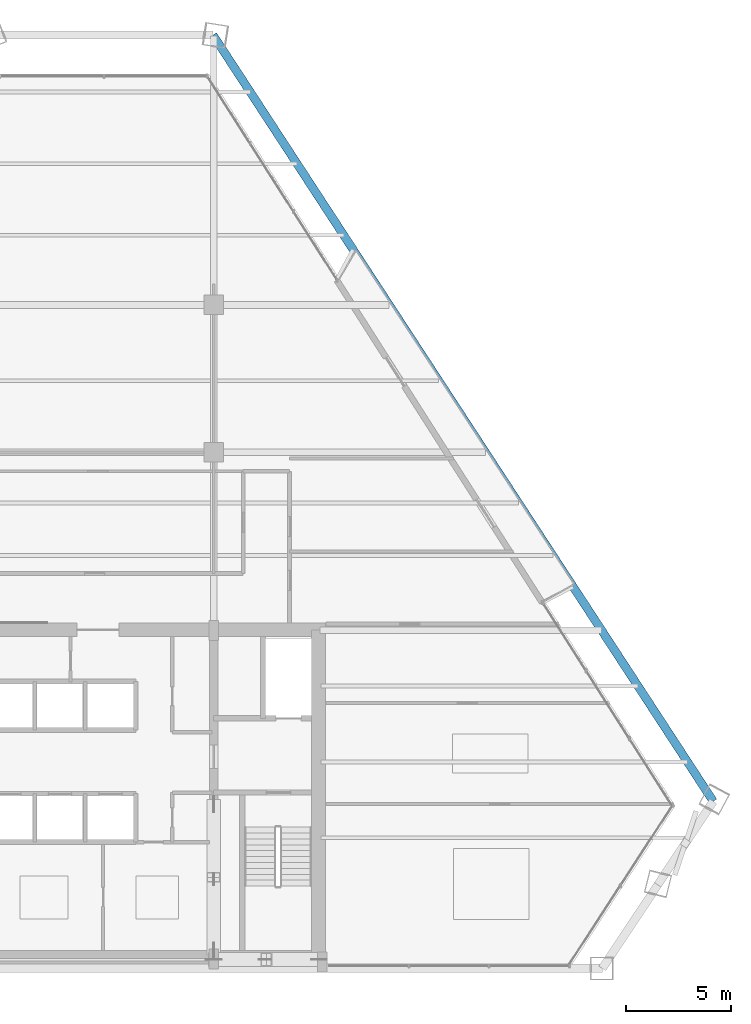
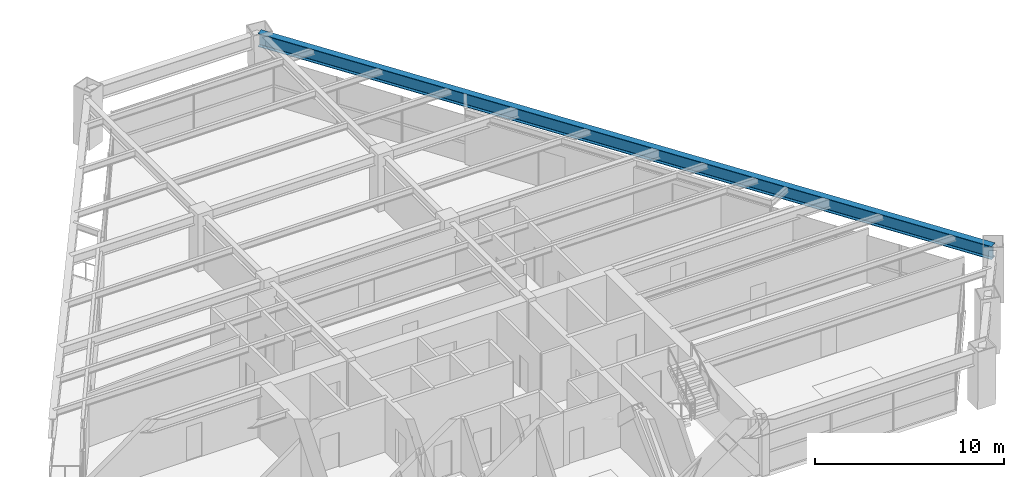
# One storey, part 7 of 15: 1 beam.
"""IFC4 building model written with IfcOpenShell, lengths in metres."""

import ifcopenshell
import ifcopenshell.guid

model = None  # the IFC model being written
_history = None  # IfcOwnerHistory: only IFC2X3 demands one
_inside = {}  # id of a spatial element -> (the spatial element, [elements in it])
_under = {}  # id of a project, library or spatial element -> (it, [spatial elements below it])
_declared = {}  # id of a project -> (the project, [libraries it declares])
_typed = {}  # id of a type object -> (the type object, [elements of that type])
_made_of = {}  # id of a material, layer set ... -> (it, [elements and type objects made of it])


def new_model(schema):
    """Start an empty IFC model of exactly this schema.

    Asked for "IFC4X3", IfcOpenShell would pick the latest addendum, in which some entities
    have other attributes; the version numbers below select the first issue.
    IFC2X3 requires an IfcOwnerHistory on every rooted entity: one is made here for all.
    """
    global model, _history
    if schema == "IFC4X3":
        model = ifcopenshell.file(schema_version=(4, 3, 0, 0))
    else:
        model = ifcopenshell.file(schema=schema)
    _inside.clear()
    _under.clear()
    _declared.clear()
    _typed.clear()
    _made_of.clear()
    _history = None
    if model.schema == "IFC2X3":
        org = make("IfcOrganization", Name="unknown")
        user = make(
            "IfcPersonAndOrganization",
            ThePerson=make("IfcPerson", FamilyName="unknown"),
            TheOrganization=org,
        )
        app = make(
            "IfcApplication",
            ApplicationDeveloper=org,
            Version="unknown",
            ApplicationFullName="unknown",
            ApplicationIdentifier="unknown",
        )
        _history = make(
            "IfcOwnerHistory",
            OwningUser=user,
            OwningApplication=app,
            ChangeAction="ADDED",
            CreationDate=0,
        )
    return model


def make(cls, **values):
    """One entity of the class cls with the attributes given. An attribute that is None is left unset."""
    return model.create_entity(
        cls, **{name: value for name, value in values.items() if value is not None}
    )


def rooted(cls, **values):
    """An entity with a GlobalId (a new one), such as an element, a storey or a relation."""
    return make(cls, GlobalId=ifcopenshell.guid.new(), OwnerHistory=_history, **values)


def si_unit(unit_type, name, prefix=None):
    """IfcSIUnit, for example si_unit("LENGTHUNIT", "METRE", prefix="MILLI")."""
    return make("IfcSIUnit", UnitType=unit_type, Prefix=prefix, Name=name)


def assignment(units):
    """IfcUnitAssignment: the units of a project."""
    return None if units is None else make("IfcUnitAssignment", Units=units)


def point(xyz):
    """IfcCartesianPoint."""
    return None if xyz is None else make("IfcCartesianPoint", Coordinates=xyz)


def direction(xyz):
    """IfcDirection."""
    return None if xyz is None else make("IfcDirection", DirectionRatios=xyz)


def frame(location, z_axis=None, x_axis=None):
    """IfcAxis2Placement3D, a coordinate frame: its origin and axes. An axis left out is left unset."""
    return make(
        "IfcAxis2Placement3D",
        Location=point(location),
        Axis=direction(z_axis),
        RefDirection=direction(x_axis),
    )


def frame_2d(location, x_axis=None):
    """IfcAxis2Placement2D, a coordinate frame in the plane: its origin and x axis."""
    return make(
        "IfcAxis2Placement2D", Location=point(location), RefDirection=direction(x_axis)
    )


def origin():
    """The frame at (0, 0, 0) with its axes left unset."""
    return frame((0.0, 0.0, 0.0))


def origin_2d():
    """The frame at (0, 0) in the plane with its x axis left unset."""
    return frame_2d((0.0, 0.0))


def place(relative_to, where):
    """IfcLocalPlacement: puts the frame where relative to a parent placement (None: the world)."""
    return make(
        "IfcLocalPlacement", PlacementRelTo=relative_to, RelativePlacement=where
    )


def context(
    kind, dimensions, precision=None, world=None, true_north=None, identifier=None
):
    """IfcGeometricRepresentationContext, for example the 3D "Model" context."""
    return make(
        "IfcGeometricRepresentationContext",
        ContextIdentifier=identifier,
        ContextType=kind,
        CoordinateSpaceDimension=dimensions,
        Precision=precision,
        WorldCoordinateSystem=world,
        TrueNorth=true_north,
    )


def subcontext(parent, identifier, kind, view, scale=None):
    """IfcGeometricRepresentationSubContext, for example "Body" below "Model"."""
    return make(
        "IfcGeometricRepresentationSubContext",
        ContextIdentifier=identifier,
        ContextType=kind,
        ParentContext=parent,
        TargetScale=scale,
        TargetView=view,
    )


def project(units=None, contexts=None):
    """IfcProject with its units and contexts."""
    return rooted(
        "IfcProject",
        Name="project",
        RepresentationContexts=contexts,
        UnitsInContext=assignment(units),
    )


def spatial(cls, under=None, at=None, **own):
    """A site, building, storey or space (cls), placed at a placement, below another one or the project."""
    s = rooted(cls, ObjectPlacement=at, **own)
    if under is not None:
        _under.setdefault(under.id(), (under, []))[1].append(s)
    return s


def profile(cls, at=None, kind="AREA", **sizes):
    """A parametric profile (cls). Its sizes go by their IFC names, for example OverallWidth=200.0."""
    return make(cls, ProfileType=kind, Position=at, **sizes)


def i_section(**sizes):
    """IfcIShapeProfileDef."""
    return profile("IfcIShapeProfileDef", **sizes)


def extrude(swept, where, along, depth):
    """IfcExtrudedAreaSolid: the profile swept, set in the frame where, extruded along a direction by depth."""
    return make(
        "IfcExtrudedAreaSolid",
        SweptArea=swept,
        Position=where,
        ExtrudedDirection=direction(along),
        Depth=depth,
    )


def shape(context_of_items, identifier, shape_type, items):
    """IfcShapeRepresentation: the items that make up one representation, for example the "Body"."""
    return make(
        "IfcShapeRepresentation",
        ContextOfItems=context_of_items,
        RepresentationIdentifier=identifier,
        RepresentationType=shape_type,
        Items=items,
    )


def source(mapping_origin, context_of_items, identifier, shape_type, items):
    """IfcRepresentationMap: a shape defined once, which mapped items show again and again."""
    return make(
        "IfcRepresentationMap",
        MappingOrigin=mapping_origin,
        MappedRepresentation=shape(context_of_items, identifier, shape_type, items),
    )


def transform(
    local_origin,
    x_axis=None,
    y_axis=None,
    z_axis=None,
    scale=None,
    scale2=None,
    scale3=None,
    uniform=True,
):
    """IfcCartesianTransformationOperator3D, or its non-uniform kind. x_axis, y_axis, z_axis: its Axis1, 2, 3."""
    if uniform:
        return make(
            "IfcCartesianTransformationOperator3D",
            Axis1=direction(x_axis),
            Axis2=direction(y_axis),
            LocalOrigin=point(local_origin),
            Scale=scale,
            Axis3=direction(z_axis),
        )
    return make(
        "IfcCartesianTransformationOperator3DnonUniform",
        Axis1=direction(x_axis),
        Axis2=direction(y_axis),
        LocalOrigin=point(local_origin),
        Scale=scale,
        Axis3=direction(z_axis),
        Scale2=scale2,
        Scale3=scale3,
    )


def mapped(mapping_source, mapping_target):
    """IfcMappedItem: shows the shape of a source again, moved by a transform."""
    return make(
        "IfcMappedItem", MappingSource=mapping_source, MappingTarget=mapping_target
    )


def material(Name=None, Category=None):
    """IfcMaterial."""
    return make("IfcMaterial", Name=Name, Category=Category)


def material_profile(
    of_material, cross_section, Name=None, Category=None, Priority=None
):
    """IfcMaterialProfile: a cross section and its material."""
    return make(
        "IfcMaterialProfile",
        Name=Name,
        Material=of_material,
        Profile=cross_section,
        Priority=Priority,
        Category=Category,
    )


def profile_set(profiles, Name=None, composite=None):
    """IfcMaterialProfileSet."""
    return make(
        "IfcMaterialProfileSet",
        Name=Name,
        MaterialProfiles=profiles,
        CompositeProfile=composite,
    )


def made_of(thing, what):
    """Note that an element or type object is made of a material, layer set ...; save() writes the relation."""
    if what is not None:
        _made_of.setdefault(what.id(), (what, []))[1].append(thing)
    return thing


def type_object(cls, material=None, **own):
    """A type object (cls), such as IfcWallType, which elements share."""
    return made_of(rooted(cls, **own), material)


def element(
    cls,
    number,
    at=None,
    inside=None,
    cuts=None,
    type_object=None,
    material=None,
    context=None,
    identifier="Body",
    shape_type=None,
    held_by="IfcProductDefinitionShape",
    body=None,
    shapes=None,
    **own,
):
    """One element of the class cls, such as IfcWall. Its Tag is "e" and its number.

    at: its placement. inside: the storey or other place that contains it. cuts: it is an
    opening in that element (IfcRelVoidsElement). A single representation is given by context,
    identifier, shape_type and body (its items); several are given by shapes. held_by: the class
    of the entity that holds the representations. save() writes the other relations.
    """
    e = rooted(cls, Tag="e%d" % number, ObjectPlacement=at, **own)
    if body is not None:
        shapes = [shape(context, identifier, shape_type, body)]
    if shapes is not None:
        e.Representation = make(held_by, Representations=shapes)
    if inside is not None:
        _inside.setdefault(inside.id(), (inside, []))[1].append(e)
    if cuts is not None:
        rooted(
            "IfcRelVoidsElement", RelatingBuildingElement=cuts, RelatedOpeningElement=e
        )
    if type_object is not None:
        _typed.setdefault(type_object.id(), (type_object, []))[1].append(e)
    return made_of(e, material)


def aggregate(whole, parts):
    """IfcRelAggregates: a whole, such as a stair, and the parts it consists of."""
    return rooted("IfcRelAggregates", RelatingObject=whole, RelatedObjects=parts)


def save(model, path):
    """Write the relations noted so far, then the file.

    IfcRelAggregates (storeys below a building ...), IfcRelContainedInSpatialStructure (elements
    in a storey), IfcRelDefinesByType, IfcRelAssociatesMaterial and IfcRelDeclares: one each for
    every whole, place, type object, material and project.
    """
    for whole, parts in _under.values():
        aggregate(whole, parts)
    for where, things in _inside.values():
        rooted(
            "IfcRelContainedInSpatialStructure",
            RelatedElements=things,
            RelatingStructure=where,
        )
    for kind, things in _typed.values():
        rooted("IfcRelDefinesByType", RelatedObjects=things, RelatingType=kind)
    for what, things in _made_of.values():
        rooted("IfcRelAssociatesMaterial", RelatedObjects=things, RelatingMaterial=what)
    for by, libraries in _declared.values():
        rooted("IfcRelDeclares", RelatingContext=by, RelatedDefinitions=libraries)
    model.write(path)


model = new_model("IFC4")

# Units and contexts
model_context = context("Model", 3, precision=1e-05, world=origin(), true_north=direction((0.0, 1.0)))
body_context = subcontext(model_context, "Body", "Model", "MODEL_VIEW")
ifc_project = project(units=[si_unit("LENGTHUNIT", "METRE"), si_unit("AREAUNIT", "SQUARE_METRE"), si_unit("VOLUMEUNIT", "CUBIC_METRE"), si_unit("PLANEANGLEUNIT", "RADIAN"), si_unit("MASSUNIT", "GRAM", prefix="KILO")], contexts=[model_context])

# Site, building, storey
site_placement = place(None, origin())
site = spatial("IfcSite", under=ifc_project, at=site_placement, CompositionType="ELEMENT")
building_placement = place(site_placement, origin())
building = spatial("IfcBuilding", under=site, at=building_placement, Name="Varnakhor Terracotta Tower", CompositionType="ELEMENT")
storey_placement = place(building_placement, frame((0.0, 0.0, 140.39990234375)))
storey = spatial("IfcBuildingStorey", under=building, at=storey_placement, Name="L35", CompositionType="ELEMENT", Elevation=140.39990234375)

# Beam
ifc_material = material(Name="Steel S355", Category="steel")
ifc_material_profile = material_profile(ifc_material, i_section(OverallWidth=0.39990234375, OverallDepth=0.85498046875, WebThickness=0.01806640625, FlangeThickness=0.029052734375, FilletRadius=0.01806640625, at=origin_2d()), Name="W33X201")
ifc_profile_set = profile_set([ifc_material_profile], Name="Steel S355")
beam_type = type_object("IfcBeamType", Name="BM-W33X201", PredefinedType="BEAM", material=ifc_profile_set)
shared_shape = source(origin(), body_context, "Body", "SweptSolid", [
    extrude(i_section(OverallWidth=0.39990234375, OverallDepth=0.85498046875, WebThickness=0.01806640625, FlangeThickness=0.029052734375, FilletRadius=0.01806640625, at=origin_2d()), origin(), (0.0, 0.0, 1.0), 43.441162109375),
])
beam_placement = place(storey_placement, frame((29.21044921875, 7.9326171875, 3.04248046875), z_axis=(-0.546608543937, 0.837388261021, 0.0), x_axis=(-0.837388261021, -0.546608543937, 0.0)))
element("IfcBeam", 1, at=beam_placement, inside=storey, type_object=beam_type, Name="L35 Perimeter Spandrel 4", PredefinedType="BEAM", context=body_context, shape_type="MappedRepresentation", body=[
    mapped(shared_shape, transform((0.0, 0.0, 0.0), scale=1.0)),
])

save(model, "model.ifc")
